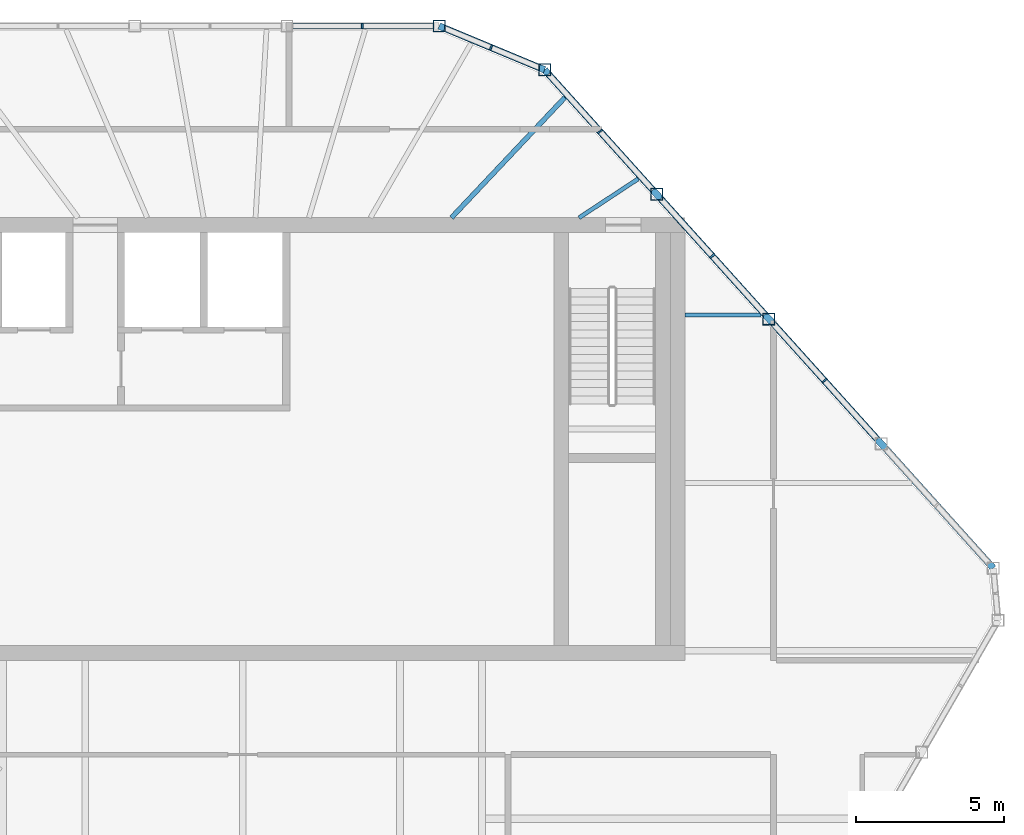
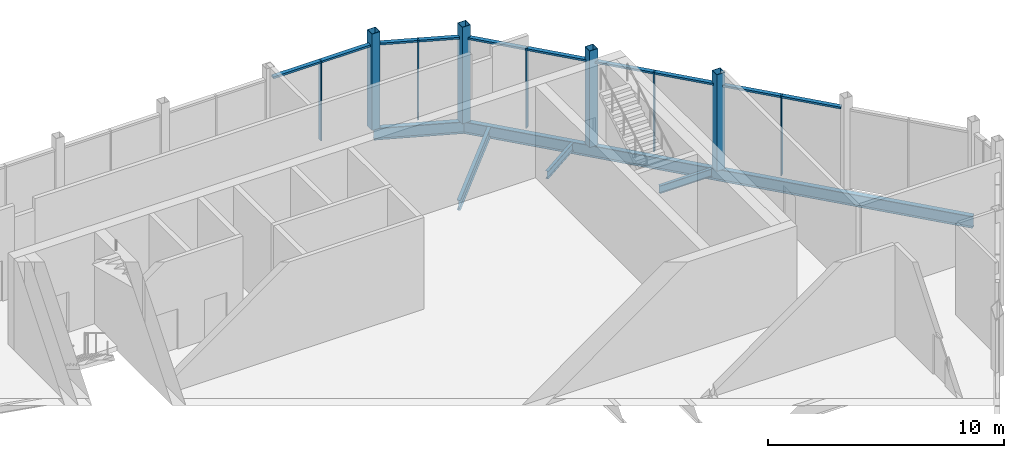
# One storey, part 6 of 12: 19 members, 5 beams, 3 elements without a shape of their own.
"""IFC4 building model written with IfcOpenShell, lengths in metres."""

from ifc_helpers import new_model, si_unit, direction, frame, origin, origin_2d, place, context, subcontext, project, spatial, rectangle, hollow_rectangle, i_section, extrude, material, layer, layer_set, material_profile, profile_set, type_object, element, aggregate, save


model = new_model("IFC4")

# Units and contexts
model_context = context("Model", 3, precision=1e-05, world=origin(), true_north=direction((0.0, 1.0)))
body_context = subcontext(model_context, "Body", "Model", "MODEL_VIEW")
ifc_project = project(units=[si_unit("LENGTHUNIT", "METRE"), si_unit("AREAUNIT", "SQUARE_METRE"), si_unit("VOLUMEUNIT", "CUBIC_METRE"), si_unit("PLANEANGLEUNIT", "RADIAN"), si_unit("MASSUNIT", "GRAM", prefix="KILO")], contexts=[model_context])

# Site, building, storey
site_placement = place(None, origin())
site = spatial("IfcSite", under=ifc_project, at=site_placement, CompositionType="ELEMENT")
building_placement = place(site_placement, origin())
building = spatial("IfcBuilding", under=site, at=building_placement, Name="Isthmus Gate Tower", CompositionType="ELEMENT")
storey_placement = place(building_placement, frame((0.0, 0.0, 306.10009765625)))
storey = spatial("IfcBuildingStorey", under=building, at=storey_placement, Name="C2", CompositionType="ELEMENT", Elevation=306.10009765625)

# Members
ifc_material_1 = material(Name="Structural steel ASTM A500 Gr C", Category="steel")
ifc_material_profile_1 = material_profile(ifc_material_1, hollow_rectangle(XDim=0.406494140625, YDim=0.406494140625, WallThickness=0.017578125, at=origin_2d()), Name="HSS16X16X3/4")
ifc_profile_set_1 = profile_set([ifc_material_profile_1], Name="Structural steel ASTM A500 Gr C")
member_type_1 = type_object("IfcMemberType", Name="CROWN POST HSS16X16X3/4", PredefinedType="POST", material=ifc_profile_set_1)
for number, where, z_axis, x_axis, name in (
    (1, (6.659912109375, 21.5, -0.25), (0.0, 0.0, 1.0), (1.0, 0.0, 0.0), "str-crownpost-C2-01"),
    (2, (17.83984375, 11.567138671875, -0.25), (0.0, 0.0, 1.0), (1.0, 0.0, 0.0), "str-crownpost-C2-28"),
    (3, (14.037109375, 15.790283203125, -0.25), (0.0, 0.0, 1.0), (1.0, 0.0, 0.0), "str-crownpost-C2-29"),
    (4, (10.234375, 20.013671875, -0.25), (0.0, 0.0, 1.0), (1.0, 0.0, 0.0), "str-crownpost-C2-30"),
):
    element("IfcMember", number, at=place(storey_placement, frame(where, z_axis=z_axis, x_axis=x_axis)), inside=storey, type_object=member_type_1, Name=name, PredefinedType="POST", context=body_context, shape_type="SweptSolid", body=[
        extrude(hollow_rectangle(XDim=0.406494140625, YDim=0.406494140625, WallThickness=0.017578125, at=origin_2d()), origin(), (0.0, 0.0, 1.0), 5.0),
    ])

# Beams
ifc_material_2 = material(Name="Structural steel ASTM A992 Gr 50", Category="steel")
ifc_material_profile_2 = material_profile(ifc_material_2, i_section(OverallWidth=0.231689453125, OverallDepth=0.615966796875, WebThickness=0.0126953125, FlangeThickness=0.022216796875, at=origin_2d()), Name="W24X94")
ifc_profile_set_2 = profile_set([ifc_material_profile_2], Name="Structural steel ASTM A992 Gr 50")
beam_type_1 = type_object("IfcBeamType", Name="CROWN RING BEAM W24X94", PredefinedType="BEAM", material=ifc_profile_set_2)
beam_1_placement = place(storey_placement, frame((25.445068359375, 3.120361328125, -0.55810546875), z_axis=(-0.669127890755, 0.743147270609, 0.0), x_axis=(-0.743147270609, -0.669127890755, 0.0)))
element("IfcBeam", 5, at=beam_1_placement, inside=storey, type_object=beam_type_1, Name="str-crownring-C2-10", PredefinedType="BEAM", context=body_context, shape_type="SweptSolid", body=[
    extrude(i_section(OverallWidth=0.231689453125, OverallDepth=0.615966796875, WebThickness=0.0126953125, FlangeThickness=0.022216796875, at=origin_2d()), origin(), (0.0, 0.0, 1.0), 22.732177734375),
])
beam_2_placement = place(storey_placement, frame((10.234375, 20.013671875, -0.55810546875), z_axis=(-0.923354696389, 0.383948049424, 0.0), x_axis=(-0.383948049424, -0.923354696389, 0.0)))
element("IfcBeam", 6, at=beam_2_placement, inside=storey, type_object=beam_type_1, Name="str-crownring-C2-11", PredefinedType="BEAM", context=body_context, shape_type="SweptSolid", body=[
    extrude(i_section(OverallWidth=0.231689453125, OverallDepth=0.615966796875, WebThickness=0.0126953125, FlangeThickness=0.022216796875, at=origin_2d()), origin(), (0.0, 0.0, 1.0), 3.87109375),
])

# Curtain wall, member
ifc_material_3 = material(Name="Aluminium, pale champagne anodised", Category="aluminium")
ifc_layer = layer(ifc_material_3, 0.199951171875)
ifc_layer_set = layer_set([ifc_layer], Name="CW-2 LOUVRE CURTAIN WALL 200 DEEP")
curtain_wall_type = type_object("IfcCurtainWallType", Name="CW-2 LOUVRE CURTAIN WALL 200 DEEP", PredefinedType="NOTDEFINED", material=ifc_layer_set)
curtain_wall_1_placement = place(storey_placement, origin())
curtain_wall_1 = element("IfcCurtainWall", 7, at=curtain_wall_1_placement, inside=storey, type_object=curtain_wall_type, Name="CW-2 E00 C2", PredefinedType="NOTDEFINED")
ifc_material_4 = material(Name="Aluminium, pale champagne anodised", Category="aluminium")
ifc_material_profile_3 = material_profile(ifc_material_4, rectangle(XDim=0.06005859375, YDim=0.199951171875, at=origin_2d()), Name="60x200")
ifc_profile_set_3 = profile_set([ifc_material_profile_3], Name="Aluminium, pale champagne anodised")
member_type_2 = type_object("IfcMemberType", Name="CW-2 MULLION 60 X 200", PredefinedType="MULLION", material=ifc_profile_set_3)
member_1_placement = place(storey_placement, frame((4.05126953125, 21.5, 0.0), z_axis=(0.0, 0.0, 1.0), x_axis=(-1.0, 0.0, 0.0)))
member_1 = element("IfcMember", 8, at=member_1_placement, type_object=member_type_2, Name="CW-2 mullion", PredefinedType="MULLION", context=body_context, shape_type="SweptSolid", body=[
    extrude(rectangle(XDim=0.06005859375, YDim=0.199951171875, at=origin_2d()), origin(), (0.0, 0.0, 1.0), 4.134033203125),
])

# Curtain wall, members
curtain_wall_2_placement = place(storey_placement, origin())
curtain_wall_2 = element("IfcCurtainWall", 9, at=curtain_wall_2_placement, inside=storey, type_object=curtain_wall_type, Name="CW-2 E10 C2", PredefinedType="NOTDEFINED")
member_2_placement = place(storey_placement, frame((19.720947265625, 9.477783203125, 0.0), z_axis=(0.0, 0.0, 1.0), x_axis=(-0.669130606359, 0.743144825477, 0.0)))
member_2 = element("IfcMember", 10, at=member_2_placement, type_object=member_type_2, Name="CW-2 mullion", PredefinedType="MULLION", context=body_context, shape_type="SweptSolid", body=[
    extrude(rectangle(XDim=0.06005859375, YDim=0.199951171875, at=origin_2d()), origin(), (0.0, 0.0, 1.0), 4.134033203125),
])
member_3_placement = place(storey_placement, frame((15.918212890625, 13.700927734375, 0.0), z_axis=(0.0, 0.0, 1.0), x_axis=(-0.669130606359, 0.743144825477, 0.0)))
member_3 = element("IfcMember", 11, at=member_3_placement, type_object=member_type_2, Name="CW-2 mullion", PredefinedType="MULLION", context=body_context, shape_type="SweptSolid", body=[
    extrude(rectangle(XDim=0.06005859375, YDim=0.199951171875, at=origin_2d()), origin(), (0.0, 0.0, 1.0), 4.134033203125),
])
member_4_placement = place(storey_placement, frame((12.11572265625, 17.92431640625, 0.0), z_axis=(0.0, 0.0, 1.0), x_axis=(-0.669130606359, 0.743144825477, 0.0)))
member_4 = element("IfcMember", 12, at=member_4_placement, type_object=member_type_2, Name="CW-2 mullion", PredefinedType="MULLION", context=body_context, shape_type="SweptSolid", body=[
    extrude(rectangle(XDim=0.06005859375, YDim=0.199951171875, at=origin_2d()), origin(), (0.0, 0.0, 1.0), 4.134033203125),
])

# Curtain wall, member
curtain_wall_3_placement = place(storey_placement, origin())
curtain_wall_3 = element("IfcCurtainWall", 13, at=curtain_wall_3_placement, inside=storey, type_object=curtain_wall_type, Name="CW-2 E11 C2", PredefinedType="NOTDEFINED")
member_5_placement = place(storey_placement, frame((8.41943359375, 20.768310546875, 0.0), z_axis=(0.0, 0.0, 1.0), x_axis=(-0.923353128387, 0.383951820282, 0.0)))
member_5 = element("IfcMember", 14, at=member_5_placement, type_object=member_type_2, Name="CW-2 mullion", PredefinedType="MULLION", context=body_context, shape_type="SweptSolid", body=[
    extrude(rectangle(XDim=0.06005859375, YDim=0.199951171875, at=origin_2d()), origin(), (0.0, 0.0, 1.0), 4.134033203125),
])

# Member
ifc_material_5 = material(Name="Aluminium, pale champagne anodised", Category="aluminium")
ifc_material_profile_4 = material_profile(ifc_material_5, rectangle(XDim=0.199951171875, YDim=0.10009765625, at=origin_2d()), Name="200x100")
ifc_profile_set_4 = profile_set([ifc_material_profile_4], Name="Aluminium, pale champagne anodised")
member_type_3 = type_object("IfcMemberType", Name="CW-2 TRANSOM 200 X 100", PredefinedType="USERDEFINED", material=ifc_profile_set_4)
member_6_placement = place(storey_placement, frame((6.456787109375, 21.5, 4.083984375), z_axis=(-1.0, 0.0, 0.0), x_axis=(0.0, -1.0, 0.0)))
member_6 = element("IfcMember", 15, at=member_6_placement, type_object=member_type_3, Name="CW-2 transom", ObjectType="TRANSOM", PredefinedType="USERDEFINED", context=body_context, shape_type="SweptSolid", body=[
    extrude(rectangle(XDim=0.199951171875, YDim=0.10009765625, at=origin_2d()), origin(), (0.0, 0.0, 1.0), 2.37548828125),
])

member_7_placement = place(storey_placement, frame((4.021240234375, 21.5, 4.083984375), z_axis=(-1.0, 0.0, 0.0), x_axis=(0.0, -1.0, 0.0)))
member_7 = element("IfcMember", 16, at=member_7_placement, type_object=member_type_3, Name="CW-2 transom", ObjectType="TRANSOM", PredefinedType="USERDEFINED", context=body_context, shape_type="SweptSolid", body=[
    extrude(rectangle(XDim=0.199951171875, YDim=0.10009765625, at=origin_2d()), origin(), (0.0, 0.0, 1.0), 2.3154296875),
])

aggregate(curtain_wall_1, [member_6, member_1, member_7])

member_8_placement = place(storey_placement, frame((21.50634765625, 7.494873046875, 4.083984375), z_axis=(-0.669169218402, 0.743110057221, 0.0), x_axis=(-0.743110057221, -0.669169218402, 0.0)))
member_8 = element("IfcMember", 17, at=member_8_placement, type_object=member_type_3, Name="CW-2 transom", ObjectType="TRANSOM", PredefinedType="USERDEFINED", context=body_context, shape_type="SweptSolid", body=[
    extrude(rectangle(XDim=0.199951171875, YDim=0.10009765625, at=origin_2d()), origin(), (0.0, 0.0, 1.0), 2.63818359375),
])

member_9_placement = place(storey_placement, frame((19.700927734375, 9.5, 4.083984375), z_axis=(-0.669163501195, 0.743115205516, 0.0), x_axis=(-0.743115205516, -0.669163501195, 0.0)))
member_9 = element("IfcMember", 18, at=member_9_placement, type_object=member_type_3, Name="CW-2 transom", ObjectType="TRANSOM", PredefinedType="USERDEFINED", context=body_context, shape_type="SweptSolid", body=[
    extrude(rectangle(XDim=0.199951171875, YDim=0.10009765625, at=origin_2d()), origin(), (0.0, 0.0, 1.0), 2.578369140625),
])

member_10_placement = place(storey_placement, frame((17.703857421875, 11.718017578125, 4.083984375), z_axis=(-0.669123202395, 0.74315149197, 0.0), x_axis=(-0.74315149197, -0.669123202395, 0.0)))
member_10 = element("IfcMember", 19, at=member_10_placement, type_object=member_type_3, Name="CW-2 transom", ObjectType="TRANSOM", PredefinedType="USERDEFINED", context=body_context, shape_type="SweptSolid", body=[
    extrude(rectangle(XDim=0.199951171875, YDim=0.10009765625, at=origin_2d()), origin(), (0.0, 0.0, 1.0), 2.638427734375),
])

member_11_placement = place(storey_placement, frame((15.898193359375, 13.723388671875, 4.083984375), z_axis=(-0.669111207332, 0.743162291981, 0.0), x_axis=(-0.743162291981, -0.669111207332, 0.0)))
member_11 = element("IfcMember", 20, at=member_11_placement, type_object=member_type_3, Name="CW-2 transom", ObjectType="TRANSOM", PredefinedType="USERDEFINED", context=body_context, shape_type="SweptSolid", body=[
    extrude(rectangle(XDim=0.199951171875, YDim=0.10009765625, at=origin_2d()), origin(), (0.0, 0.0, 1.0), 2.578125),
])

member_12_placement = place(storey_placement, frame((13.901123046875, 15.94140625, 4.083984375), z_axis=(-0.669123202395, 0.74315149197, 0.0), x_axis=(-0.74315149197, -0.669123202395, 0.0)))
member_12 = element("IfcMember", 21, at=member_12_placement, type_object=member_type_3, Name="CW-2 transom", ObjectType="TRANSOM", PredefinedType="USERDEFINED", context=body_context, shape_type="SweptSolid", body=[
    extrude(rectangle(XDim=0.199951171875, YDim=0.10009765625, at=origin_2d()), origin(), (0.0, 0.0, 1.0), 2.638427734375),
])

member_13_placement = place(storey_placement, frame((12.095458984375, 17.946533203125, 4.083984375), z_axis=(-0.669064121693, 0.743204683155, 0.0), x_axis=(-0.743204683155, -0.669064121693, 0.0)))
member_13 = element("IfcMember", 22, at=member_13_placement, type_object=member_type_3, Name="CW-2 transom", ObjectType="TRANSOM", PredefinedType="USERDEFINED", context=body_context, shape_type="SweptSolid", body=[
    extrude(rectangle(XDim=0.199951171875, YDim=0.10009765625, at=origin_2d()), origin(), (0.0, 0.0, 1.0), 2.578369140625),
])

aggregate(curtain_wall_2, [member_8, member_2, member_9, member_10, member_3, member_11, member_12, member_4, member_13])

member_14_placement = place(storey_placement, frame((10.046630859375, 20.091796875, 4.083984375), z_axis=(-0.923356075221, 0.383944733461, 0.0), x_axis=(-0.383944733461, -0.923356075221, 0.0)))
member_14 = element("IfcMember", 23, at=member_14_placement, type_object=member_type_3, Name="CW-2 transom", ObjectType="TRANSOM", PredefinedType="USERDEFINED", context=body_context, shape_type="SweptSolid", body=[
    extrude(rectangle(XDim=0.199951171875, YDim=0.10009765625, at=origin_2d()), origin(), (0.0, 0.0, 1.0), 1.732177734375),
])

member_15_placement = place(storey_placement, frame((8.391845703125, 20.77978515625, 4.083984375), z_axis=(-0.923357418254, 0.383941503559, 0.0), x_axis=(-0.383941503559, -0.923357418254, 0.0)))
member_15 = element("IfcMember", 24, at=member_15_placement, type_object=member_type_3, Name="CW-2 transom", ObjectType="TRANSOM", PredefinedType="USERDEFINED", context=body_context, shape_type="SweptSolid", body=[
    extrude(rectangle(XDim=0.199951171875, YDim=0.10009765625, at=origin_2d()), origin(), (0.0, 0.0, 1.0), 1.67236328125),
])

aggregate(curtain_wall_3, [member_14, member_5, member_15])

# Beams
ifc_material_6 = material(Name="Structural steel ASTM A992 Gr 50", Category="steel")
ifc_material_profile_5 = material_profile(ifc_material_6, i_section(OverallWidth=0.1396484375, OverallDepth=0.4033203125, WebThickness=0.00634765625, FlangeThickness=0.010986328125, at=origin_2d()), Name="W16X31")
ifc_profile_set_5 = profile_set([ifc_material_profile_5], Name="Structural steel ASTM A992 Gr 50")
beam_type_2 = type_object("IfcBeamType", Name="STEEL FLOOR BEAM W16X31", PredefinedType="JOIST", material=ifc_profile_set_5)
beam_3_placement = place(storey_placement, frame((11.403076171875, 15.0, -0.45166015625), z_axis=(0.835495809474, 0.549496817418, 0.0), x_axis=(-0.549496817418, 0.835495809474, 0.0)))
element("IfcBeam", 25, at=beam_3_placement, inside=storey, type_object=beam_type_2, Name="str-beam-C2-00-00", PredefinedType="JOIST", context=body_context, shape_type="SweptSolid", body=[
    extrude(i_section(OverallWidth=0.1396484375, OverallDepth=0.4033203125, WebThickness=0.00634765625, FlangeThickness=0.010986328125, at=origin_2d()), origin(), (0.0, 0.0, 1.0), 2.39794921875),
])
beam_4_placement = place(storey_placement, frame((15.0, 11.7021484375, -0.45166015625), z_axis=(1.0, 0.0, 0.0), x_axis=(0.0, 1.0, 0.0)))
element("IfcBeam", 26, at=beam_4_placement, inside=storey, type_object=beam_type_2, Name="str-beam-C2-04-05", PredefinedType="JOIST", context=body_context, shape_type="SweptSolid", body=[
    extrude(i_section(OverallWidth=0.1396484375, OverallDepth=0.4033203125, WebThickness=0.00634765625, FlangeThickness=0.010986328125, at=origin_2d()), origin(), (0.0, 0.0, 1.0), 2.562255859375),
])
ifc_material_7 = material(Name="Structural steel ASTM A992 Gr 50", Category="steel")
ifc_material_profile_6 = material_profile(ifc_material_7, i_section(OverallWidth=0.1650390625, OverallDepth=0.52392578125, WebThickness=0.009521484375, FlangeThickness=0.010986328125, at=origin_2d()), Name="W21X44")
ifc_profile_set_6 = profile_set([ifc_material_profile_6], Name="Structural steel ASTM A992 Gr 50")
beam_type_3 = type_object("IfcBeamType", Name="STEEL FLOOR BEAM W21X44", PredefinedType="JOIST", material=ifc_profile_set_6)
beam_5_placement = place(storey_placement, frame((7.075927734375, 15.0, -0.511962890625), z_axis=(0.686247387964, 0.727368216595, 0.0), x_axis=(-0.727368216595, 0.686247387964, 0.0)))
element("IfcBeam", 27, at=beam_5_placement, inside=storey, type_object=beam_type_3, Name="str-beam-C2-00-01", PredefinedType="JOIST", context=body_context, shape_type="SweptSolid", body=[
    extrude(i_section(OverallWidth=0.1650390625, OverallDepth=0.52392578125, WebThickness=0.009521484375, FlangeThickness=0.010986328125, at=origin_2d()), origin(), (0.0, 0.0, 1.0), 5.604736328125),
])

save(model, "model.ifc")
